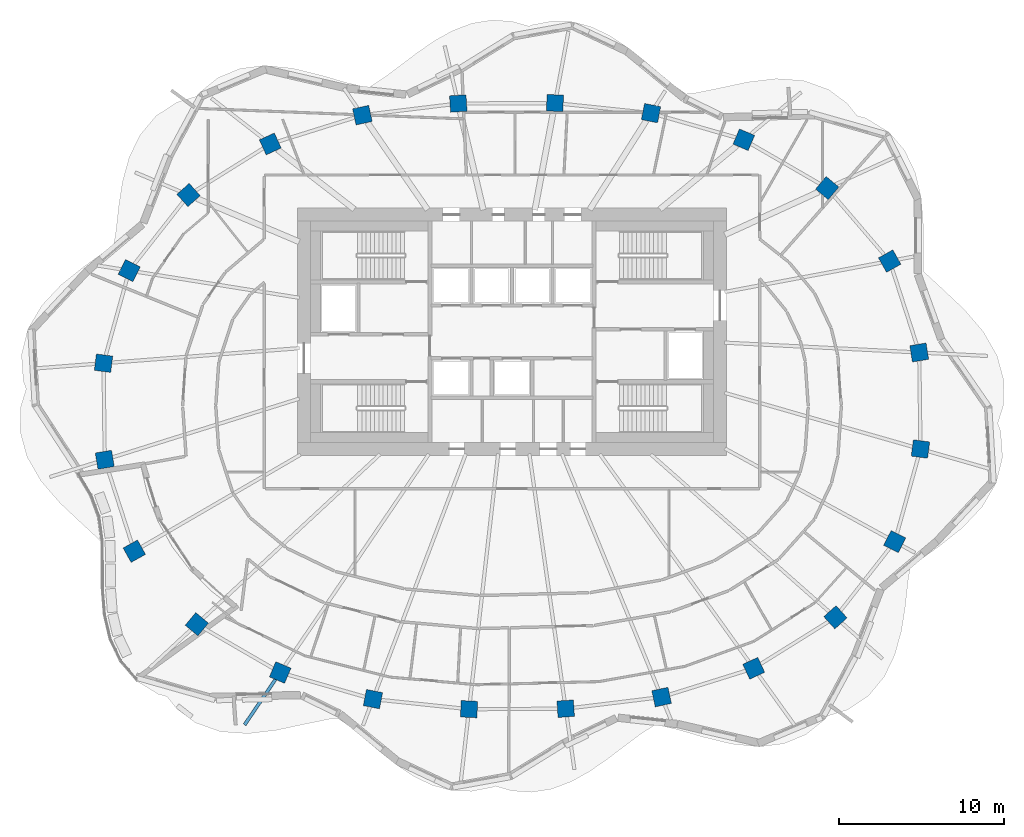
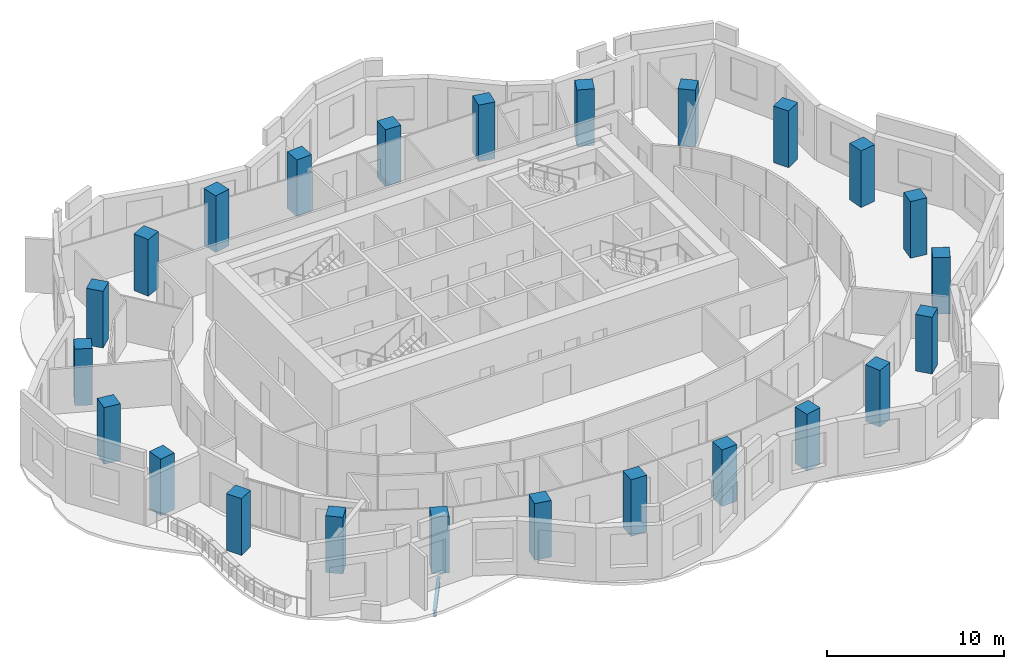
# One storey, part 1 of 13: 24 columns, 1 beam.
"""IFC4 building model written with IfcOpenShell, lengths in metres."""

import ifcopenshell
import ifcopenshell.guid

model = None  # the IFC model being written
_history = None  # IfcOwnerHistory: only IFC2X3 demands one
_inside = {}  # id of a spatial element -> (the spatial element, [elements in it])
_under = {}  # id of a project, library or spatial element -> (it, [spatial elements below it])
_declared = {}  # id of a project -> (the project, [libraries it declares])
_typed = {}  # id of a type object -> (the type object, [elements of that type])
_made_of = {}  # id of a material, layer set ... -> (it, [elements and type objects made of it])


def new_model(schema):
    """Start an empty IFC model of exactly this schema.

    Asked for "IFC4X3", IfcOpenShell would pick the latest addendum, in which some entities
    have other attributes; the version numbers below select the first issue.
    IFC2X3 requires an IfcOwnerHistory on every rooted entity: one is made here for all.
    """
    global model, _history
    if schema == "IFC4X3":
        model = ifcopenshell.file(schema_version=(4, 3, 0, 0))
    else:
        model = ifcopenshell.file(schema=schema)
    _inside.clear()
    _under.clear()
    _declared.clear()
    _typed.clear()
    _made_of.clear()
    _history = None
    if model.schema == "IFC2X3":
        org = make("IfcOrganization", Name="unknown")
        user = make(
            "IfcPersonAndOrganization",
            ThePerson=make("IfcPerson", FamilyName="unknown"),
            TheOrganization=org,
        )
        app = make(
            "IfcApplication",
            ApplicationDeveloper=org,
            Version="unknown",
            ApplicationFullName="unknown",
            ApplicationIdentifier="unknown",
        )
        _history = make(
            "IfcOwnerHistory",
            OwningUser=user,
            OwningApplication=app,
            ChangeAction="ADDED",
            CreationDate=0,
        )
    return model


def make(cls, **values):
    """One entity of the class cls with the attributes given. An attribute that is None is left unset."""
    return model.create_entity(
        cls, **{name: value for name, value in values.items() if value is not None}
    )


def rooted(cls, **values):
    """An entity with a GlobalId (a new one), such as an element, a storey or a relation."""
    return make(cls, GlobalId=ifcopenshell.guid.new(), OwnerHistory=_history, **values)


def si_unit(unit_type, name, prefix=None):
    """IfcSIUnit, for example si_unit("LENGTHUNIT", "METRE", prefix="MILLI")."""
    return make("IfcSIUnit", UnitType=unit_type, Prefix=prefix, Name=name)


def assignment(units):
    """IfcUnitAssignment: the units of a project."""
    return None if units is None else make("IfcUnitAssignment", Units=units)


def point(xyz):
    """IfcCartesianPoint."""
    return None if xyz is None else make("IfcCartesianPoint", Coordinates=xyz)


def direction(xyz):
    """IfcDirection."""
    return None if xyz is None else make("IfcDirection", DirectionRatios=xyz)


def frame(location, z_axis=None, x_axis=None):
    """IfcAxis2Placement3D, a coordinate frame: its origin and axes. An axis left out is left unset."""
    return make(
        "IfcAxis2Placement3D",
        Location=point(location),
        Axis=direction(z_axis),
        RefDirection=direction(x_axis),
    )


def frame_2d(location, x_axis=None):
    """IfcAxis2Placement2D, a coordinate frame in the plane: its origin and x axis."""
    return make(
        "IfcAxis2Placement2D", Location=point(location), RefDirection=direction(x_axis)
    )


def origin():
    """The frame at (0, 0, 0) with its axes left unset."""
    return frame((0.0, 0.0, 0.0))


def origin_2d():
    """The frame at (0, 0) in the plane with its x axis left unset."""
    return frame_2d((0.0, 0.0))


def place(relative_to, where):
    """IfcLocalPlacement: puts the frame where relative to a parent placement (None: the world)."""
    return make(
        "IfcLocalPlacement", PlacementRelTo=relative_to, RelativePlacement=where
    )


def context(
    kind, dimensions, precision=None, world=None, true_north=None, identifier=None
):
    """IfcGeometricRepresentationContext, for example the 3D "Model" context."""
    return make(
        "IfcGeometricRepresentationContext",
        ContextIdentifier=identifier,
        ContextType=kind,
        CoordinateSpaceDimension=dimensions,
        Precision=precision,
        WorldCoordinateSystem=world,
        TrueNorth=true_north,
    )


def subcontext(parent, identifier, kind, view, scale=None):
    """IfcGeometricRepresentationSubContext, for example "Body" below "Model"."""
    return make(
        "IfcGeometricRepresentationSubContext",
        ContextIdentifier=identifier,
        ContextType=kind,
        ParentContext=parent,
        TargetScale=scale,
        TargetView=view,
    )


def project(units=None, contexts=None):
    """IfcProject with its units and contexts."""
    return rooted(
        "IfcProject",
        Name="project",
        RepresentationContexts=contexts,
        UnitsInContext=assignment(units),
    )


def spatial(cls, under=None, at=None, **own):
    """A site, building, storey or space (cls), placed at a placement, below another one or the project."""
    s = rooted(cls, ObjectPlacement=at, **own)
    if under is not None:
        _under.setdefault(under.id(), (under, []))[1].append(s)
    return s


def profile(cls, at=None, kind="AREA", **sizes):
    """A parametric profile (cls). Its sizes go by their IFC names, for example OverallWidth=200.0."""
    return make(cls, ProfileType=kind, Position=at, **sizes)


def rectangle(**sizes):
    """IfcRectangleProfileDef."""
    return profile("IfcRectangleProfileDef", **sizes)


def i_section(**sizes):
    """IfcIShapeProfileDef."""
    return profile("IfcIShapeProfileDef", **sizes)


def extrude(swept, where, along, depth):
    """IfcExtrudedAreaSolid: the profile swept, set in the frame where, extruded along a direction by depth."""
    return make(
        "IfcExtrudedAreaSolid",
        SweptArea=swept,
        Position=where,
        ExtrudedDirection=direction(along),
        Depth=depth,
    )


def shape(context_of_items, identifier, shape_type, items):
    """IfcShapeRepresentation: the items that make up one representation, for example the "Body"."""
    return make(
        "IfcShapeRepresentation",
        ContextOfItems=context_of_items,
        RepresentationIdentifier=identifier,
        RepresentationType=shape_type,
        Items=items,
    )


def material(Name=None, Category=None):
    """IfcMaterial."""
    return make("IfcMaterial", Name=Name, Category=Category)


def material_profile(
    of_material, cross_section, Name=None, Category=None, Priority=None
):
    """IfcMaterialProfile: a cross section and its material."""
    return make(
        "IfcMaterialProfile",
        Name=Name,
        Material=of_material,
        Profile=cross_section,
        Priority=Priority,
        Category=Category,
    )


def profile_set(profiles, Name=None, composite=None):
    """IfcMaterialProfileSet."""
    return make(
        "IfcMaterialProfileSet",
        Name=Name,
        MaterialProfiles=profiles,
        CompositeProfile=composite,
    )


def made_of(thing, what):
    """Note that an element or type object is made of a material, layer set ...; save() writes the relation."""
    if what is not None:
        _made_of.setdefault(what.id(), (what, []))[1].append(thing)
    return thing


def type_object(cls, material=None, **own):
    """A type object (cls), such as IfcWallType, which elements share."""
    return made_of(rooted(cls, **own), material)


def element(
    cls,
    number,
    at=None,
    inside=None,
    cuts=None,
    type_object=None,
    material=None,
    context=None,
    identifier="Body",
    shape_type=None,
    held_by="IfcProductDefinitionShape",
    body=None,
    shapes=None,
    **own,
):
    """One element of the class cls, such as IfcWall. Its Tag is "e" and its number.

    at: its placement. inside: the storey or other place that contains it. cuts: it is an
    opening in that element (IfcRelVoidsElement). A single representation is given by context,
    identifier, shape_type and body (its items); several are given by shapes. held_by: the class
    of the entity that holds the representations. save() writes the other relations.
    """
    e = rooted(cls, Tag="e%d" % number, ObjectPlacement=at, **own)
    if body is not None:
        shapes = [shape(context, identifier, shape_type, body)]
    if shapes is not None:
        e.Representation = make(held_by, Representations=shapes)
    if inside is not None:
        _inside.setdefault(inside.id(), (inside, []))[1].append(e)
    if cuts is not None:
        rooted(
            "IfcRelVoidsElement", RelatingBuildingElement=cuts, RelatedOpeningElement=e
        )
    if type_object is not None:
        _typed.setdefault(type_object.id(), (type_object, []))[1].append(e)
    return made_of(e, material)


def aggregate(whole, parts):
    """IfcRelAggregates: a whole, such as a stair, and the parts it consists of."""
    return rooted("IfcRelAggregates", RelatingObject=whole, RelatedObjects=parts)


def save(model, path):
    """Write the relations noted so far, then the file.

    IfcRelAggregates (storeys below a building ...), IfcRelContainedInSpatialStructure (elements
    in a storey), IfcRelDefinesByType, IfcRelAssociatesMaterial and IfcRelDeclares: one each for
    every whole, place, type object, material and project.
    """
    for whole, parts in _under.values():
        aggregate(whole, parts)
    for where, things in _inside.values():
        rooted(
            "IfcRelContainedInSpatialStructure",
            RelatedElements=things,
            RelatingStructure=where,
        )
    for kind, things in _typed.values():
        rooted("IfcRelDefinesByType", RelatedObjects=things, RelatingType=kind)
    for what, things in _made_of.values():
        rooted("IfcRelAssociatesMaterial", RelatedObjects=things, RelatingMaterial=what)
    for by, libraries in _declared.values():
        rooted("IfcRelDeclares", RelatingContext=by, RelatedDefinitions=libraries)
    model.write(path)


model = new_model("IFC4")

# Units and contexts
model_context = context("Model", 3, precision=1e-05, world=origin(), true_north=direction((0.0, 1.0)))
body_context = subcontext(model_context, "Body", "Model", "MODEL_VIEW")
ifc_project = project(units=[si_unit("LENGTHUNIT", "METRE"), si_unit("AREAUNIT", "SQUARE_METRE"), si_unit("VOLUMEUNIT", "CUBIC_METRE"), si_unit("PLANEANGLEUNIT", "RADIAN"), si_unit("MASSUNIT", "GRAM", prefix="KILO")], contexts=[model_context])

# Site, building, storey
site_placement = place(None, origin())
site = spatial("IfcSite", under=ifc_project, at=site_placement, CompositionType="ELEMENT")
building_placement = place(site_placement, origin())
building = spatial("IfcBuilding", under=site, at=building_placement, Name="Rubra Terraces Tower", CompositionType="ELEMENT")
storey_placement = place(building_placement, frame((0.0, 0.0, 233.10009765625)))
storey = spatial("IfcBuildingStorey", under=building, at=storey_placement, Name="L57", CompositionType="ELEMENT", Elevation=233.10009765625)

# Columns
ifc_material_1 = material(Name="Concrete C50", Category="concrete")
ifc_material_profile_1 = material_profile(ifc_material_1, rectangle(XDim=1.0, YDim=1.0, at=origin_2d()), Name="RC 1000x1000")
ifc_profile_set_1 = profile_set([ifc_material_profile_1], Name="Concrete C50")
column_type = type_object("IfcColumnType", Name="RING COLUMN RC 1000x1000 C50", PredefinedType="COLUMN", material=ifc_profile_set_1)
for number, where, z_axis, x_axis, name in (
    (1, (24.6689453125, 3.248046875, 0.0), (0.0, 0.0, 1.0), (-0.161559167715, 0.986863027642, 0.0), "column-L57-ring-01"),
    (2, (22.87890625, 8.787109375, 0.0), (0.0, 0.0, 1.0), (-0.48852601316, 0.872549330678, 0.0), "column-L57-ring-02"),
    (3, (19.092041015625, 13.208984375, 0.0), (0.0, 0.0, 1.0), (-0.76886986222, 0.63940529789, 0.0), "column-L57-ring-03"),
    (4, (14.0419921875, 16.135986328125, 0.0), (0.0, 0.0, 1.0), (-0.920167856842, 0.391524092789, 0.0), "column-L57-ring-04"),
    (5, (8.422119140625, 17.7490234375, 0.0), (0.0, 0.0, 1.0), (-0.981654668733, 0.19066754143, 0.0), "column-L57-ring-05"),
    (6, (2.60205078125, 18.35791015625, 0.0), (0.0, 0.0, 1.0), (-0.998764256028, 0.049698700995, 0.0), "column-L57-ring-06"),
    (7, (-3.25390625, 18.330078125, 0.0), (0.0, 0.0, 1.0), (-0.998031548759, -0.062713855578, 0.0), "column-L57-ring-07"),
    (8, (-9.06298828125, 17.625, 0.0), (0.0, 0.0, 1.0), (-0.977652674797, -0.210226657352, 0.0), "column-L57-ring-08"),
    (9, (-14.64306640625, 15.881103515625, 0.0), (0.0, 0.0, 1.0), (-0.908778580451, -0.417278673927, 0.0), "column-L57-ring-09"),
    (10, (-19.593017578125, 12.7900390625, 0.0), (0.0, 0.0, 1.0), (-0.744021317198, -0.668155879683, 0.0), "column-L57-ring-10"),
    (11, (-23.18505859375, 8.2099609375, 0.0), (0.0, 0.0, 1.0), (-0.451027931402, -0.892509834733, 0.0), "column-L57-ring-11"),
    (12, (-24.742919921875, 2.59912109375, 0.0), (0.0, 0.0, 1.0), (-0.128443684554, -0.991716804283, 0.0), "column-L57-ring-12"),
    (13, (-24.6689453125, -3.248046875, 0.0), (0.0, 0.0, 1.0), (0.161559167715, -0.986863027642, 0.0), "column-L57-ring-13"),
    (14, (-22.87890625, -8.787109375, 0.0), (0.0, 0.0, 1.0), (0.48852601316, -0.872549330678, 0.0), "column-L57-ring-14"),
    (15, (-19.092041015625, -13.208984375, 0.0), (0.0, 0.0, 1.0), (0.76886986222, -0.63940529789, 0.0), "column-L57-ring-15"),
    (16, (-14.0419921875, -16.135986328125, 0.0), (0.0, 0.0, 1.0), (0.920167856842, -0.391524092789, 0.0), "column-L57-ring-16"),
    (17, (-8.422119140625, -17.7490234375, 0.0), (0.0, 0.0, 1.0), (0.981654668733, -0.19066754143, 0.0), "column-L57-ring-17"),
    (18, (-2.60205078125, -18.35791015625, 0.0), (0.0, 0.0, 1.0), (0.998764256028, -0.049698700995, 0.0), "column-L57-ring-18"),
    (19, (3.25390625, -18.330078125, 0.0), (0.0, 0.0, 1.0), (0.998031548759, 0.062713855578, 0.0), "column-L57-ring-19"),
    (20, (9.06298828125, -17.625, 0.0), (0.0, 0.0, 1.0), (0.977652674797, 0.210226657352, 0.0), "column-L57-ring-20"),
    (21, (14.64306640625, -15.881103515625, 0.0), (0.0, 0.0, 1.0), (0.908778580451, 0.417278673927, 0.0), "column-L57-ring-21"),
    (22, (19.593017578125, -12.7900390625, 0.0), (0.0, 0.0, 1.0), (0.744021317198, 0.668155879683, 0.0), "column-L57-ring-22"),
    (23, (23.18505859375, -8.2099609375, 0.0), (0.0, 0.0, 1.0), (0.451027931402, 0.892509834733, 0.0), "column-L57-ring-23"),
    (24, (24.742919921875, -2.59912109375, 0.0), (0.0, 0.0, 1.0), (0.128443684554, 0.991716804283, 0.0), "column-L57-ring-24"),
):
    element("IfcColumn", number, at=place(storey_placement, frame(where, z_axis=z_axis, x_axis=x_axis)), inside=storey, type_object=column_type, Name=name, PredefinedType="COLUMN", context=body_context, shape_type="SweptSolid", body=[
        extrude(rectangle(XDim=1.0, YDim=1.0, at=origin_2d()), origin(), (0.0, 0.0, 1.0), 3.89990234375),
    ])

# Beam
ifc_material_2 = material(Name="Steel Q355B", Category="steel")
ifc_material_profile_2 = material_profile(ifc_material_2, i_section(OverallWidth=0.198974609375, OverallDepth=0.446044921875, WebThickness=0.008056640625, FlangeThickness=0.011962890625, at=origin_2d()), Name="HN 446x199x8x12")
ifc_profile_set_2 = profile_set([ifc_material_profile_2], Name="Steel Q355B")
beam_type = type_object("IfcBeamType", Name="CANTILEVER BEAM HN 446x199x8x12", PredefinedType="BEAM", material=ifc_profile_set_2)
beam_placement = place(storey_placement, frame((-14.3291015625, -16.556884765625, -0.423095703125), z_axis=(-0.562356236062, -0.826895074215, 0.0), x_axis=(0.826895074215, -0.562356236062, 0.0)))
element("IfcBeam", 25, at=beam_placement, inside=storey, type_object=beam_type, Name="beam-L57-cant-16", PredefinedType="BEAM", context=body_context, shape_type="SweptSolid", body=[
    extrude(i_section(OverallWidth=0.198974609375, OverallDepth=0.446044921875, WebThickness=0.008056640625, FlangeThickness=0.011962890625, at=origin_2d()), origin(), (0.0, 0.0, 1.0), 3.3232421875),
])

save(model, "model.ifc")
